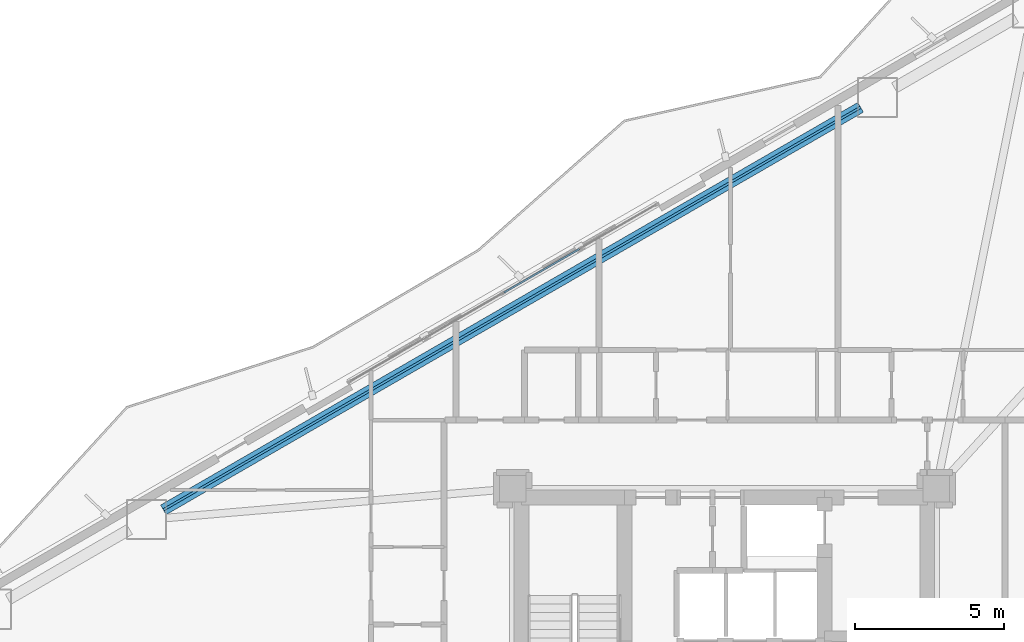
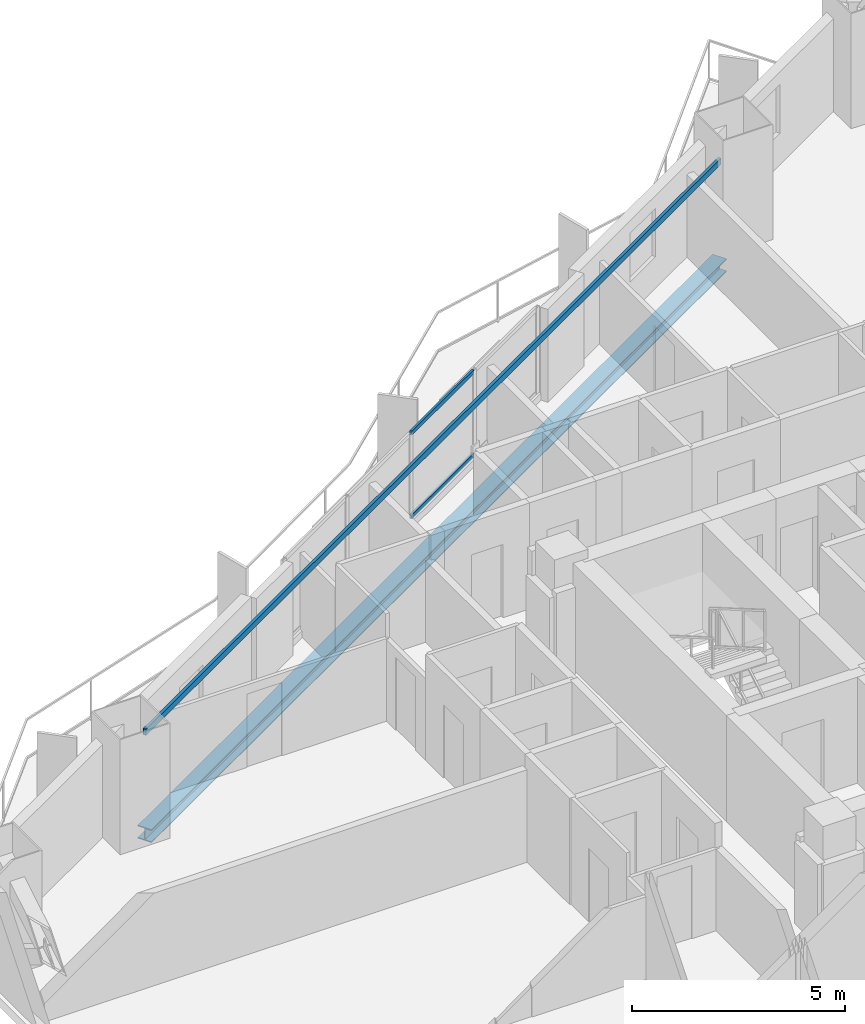
# One storey, part 8 of 18: 2 beams, 2 members, 1 element without a shape of its own.
"""IFC4 building model written with IfcOpenShell, lengths in metres."""

from ifc_helpers import new_model, si_unit, direction, frame, origin, origin_2d, place, context, subcontext, project, spatial, hollow_rectangle, i_section, extrude, material, layer, layer_set, material_profile, profile_set, type_object, element, aggregate, save


model = new_model("IFC4")

# Units and contexts
model_context = context("Model", 3, precision=1e-05, world=origin(), true_north=direction((0.0, 1.0)))
body_context = subcontext(model_context, "Body", "Model", "MODEL_VIEW")
ifc_project = project(units=[si_unit("LENGTHUNIT", "METRE"), si_unit("AREAUNIT", "SQUARE_METRE"), si_unit("VOLUMEUNIT", "CUBIC_METRE"), si_unit("PLANEANGLEUNIT", "RADIAN"), si_unit("MASSUNIT", "GRAM", prefix="KILO")], contexts=[model_context])

# Site, building, storey
site_placement = place(None, origin())
site = spatial("IfcSite", under=ifc_project, at=site_placement, CompositionType="ELEMENT")
building_placement = place(site_placement, origin())
building = spatial("IfcBuilding", under=site, at=building_placement, Name="Mersakhor Tower and Convention Hall", CompositionType="ELEMENT")
storey_placement = place(building_placement, frame((0.0, 0.0, 52.199951171875)))
storey = spatial("IfcBuildingStorey", under=building, at=storey_placement, Name="L14", CompositionType="ELEMENT", Elevation=52.199951171875)

# Beams
ifc_material_1 = material(Name="Steel S355", Category="steel")
ifc_material_profile_1 = material_profile(ifc_material_1, hollow_rectangle(XDim=0.080078125, YDim=0.179931640625, WallThickness=0.008056640625, at=origin_2d()), Name="RHS 180x80x8")
ifc_profile_set_1 = profile_set([ifc_material_profile_1], Name="Steel S355")
beam_type_1 = type_object("IfcBeamType", Name="BM-GRT-RHS180", PredefinedType="USERDEFINED", material=ifc_profile_set_1)
beam_1_placement = place(storey_placement, frame((10.183837890625, 32.341064453125, 2.47998046875), z_axis=(0.866025970279, 0.499999018801, 0.0), x_axis=(-0.499999018801, 0.866025970279, 0.0)))
element("IfcBeam", 1, at=beam_1_placement, inside=storey, type_object=beam_type_1, Name="L14 Facade Support Girt GRT-F1", ObjectType="GIRT", PredefinedType="USERDEFINED", context=body_context, shape_type="SweptSolid", body=[
    extrude(hollow_rectangle(XDim=0.080078125, YDim=0.179931640625, WallThickness=0.008056640625, at=origin_2d()), origin(), (0.0, 0.0, 1.0), 26.99951171875),
])
ifc_material_2 = material(Name="Steel S355", Category="steel")
ifc_material_profile_2 = material_profile(ifc_material_2, i_section(OverallWidth=0.374755859375, OverallDepth=0.37451171875, WebThickness=0.0166015625, FlangeThickness=0.027099609375, at=origin_2d()), Name="UC 356x368x202")
ifc_profile_set_2 = profile_set([ifc_material_profile_2], Name="Steel S355")
beam_type_2 = type_object("IfcBeamType", Name="BM-SPD-UC356", PredefinedType="SPANDREL", material=ifc_profile_set_2)
beam_2_placement = place(storey_placement, frame((10.183837890625, 32.341064453125, -0.447265625), z_axis=(0.866025970279, 0.499999018801, 0.0), x_axis=(-0.499999018801, 0.866025970279, 0.0)))
element("IfcBeam", 2, at=beam_2_placement, inside=storey, type_object=beam_type_2, Name="L14 Perimeter Spandrel Beam SPB-02", PredefinedType="SPANDREL", context=body_context, shape_type="SweptSolid", body=[
    extrude(i_section(OverallWidth=0.374755859375, OverallDepth=0.37451171875, WebThickness=0.0166015625, FlangeThickness=0.027099609375, at=origin_2d()), origin(), (0.0, 0.0, 1.0), 26.99951171875),
])

# Curtain wall, members
ifc_material_3 = material(Name="Dark solar low-E aluminium curtain wall", Category="aluminium")
ifc_layer = layer(ifc_material_3, 0.159912109375)
ifc_layer_set = layer_set([ifc_layer], Name="Dark solar low-E aluminium curtain wall")
curtain_wall_type = type_object("IfcCurtainWallType", Name="CW-SYS-01", PredefinedType="USERDEFINED", material=ifc_layer_set)
curtain_wall_placement = place(storey_placement, origin())
curtain_wall = element("IfcCurtainWall", 3, at=curtain_wall_placement, inside=storey, type_object=curtain_wall_type, Name="L14 Dark-Glass Curtain Wall F1-B2", ObjectType="CURTAIN WALL", PredefinedType="USERDEFINED")
ifc_material_4 = material(Name="Anodised aluminium EN AW-6063 T6", Category="aluminium")
ifc_material_profile_3 = material_profile(ifc_material_4, hollow_rectangle(XDim=0.06005859375, YDim=0.1201171875, WallThickness=0.0048828125, at=origin_2d()), Name="RHS 120x60x5")
ifc_profile_set_3 = profile_set([ifc_material_profile_3], Name="Anodised aluminium EN AW-6063 T6")
member_type = type_object("IfcMemberType", Name="CWT-120x60", PredefinedType="USERDEFINED", material=ifc_profile_set_3)
member_1_placement = place(storey_placement, frame((21.607421875, 39.629150390625, 0.22998046875), z_axis=(0.866015622527, 0.500016941252, 0.0), x_axis=(-0.500016941252, 0.866015622527, 0.0)))
member_1 = element("IfcMember", 4, at=member_1_placement, type_object=member_type, Name="CW-01 transom 3.1", ObjectType="TRANSOM", PredefinedType="USERDEFINED", context=body_context, shape_type="SweptSolid", body=[
    extrude(hollow_rectangle(XDim=0.06005859375, YDim=0.1201171875, WallThickness=0.0048828125, at=origin_2d()), origin(), (0.0, 0.0, 1.0), 2.91845703125),
])
member_2_placement = place(storey_placement, frame((21.607421875, 39.629150390625, 2.630126953125), z_axis=(0.866015622527, 0.500016941252, 0.0), x_axis=(-0.500016941252, 0.866015622527, 0.0)))
member_2 = element("IfcMember", 5, at=member_2_placement, type_object=member_type, Name="CW-01 transom 3.2", ObjectType="TRANSOM", PredefinedType="USERDEFINED", context=body_context, shape_type="SweptSolid", body=[
    extrude(hollow_rectangle(XDim=0.06005859375, YDim=0.1201171875, WallThickness=0.0048828125, at=origin_2d()), origin(), (0.0, 0.0, 1.0), 2.91845703125),
])
aggregate(curtain_wall, [member_1, member_2])

save(model, "model.ifc")
